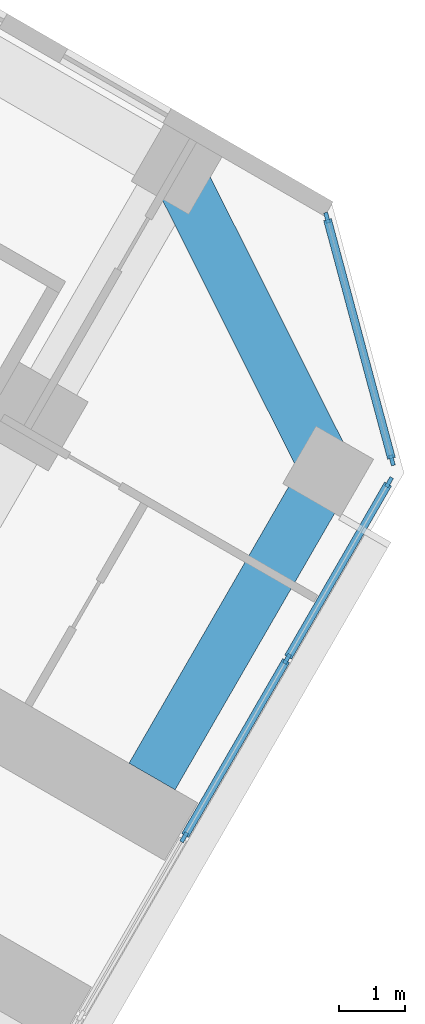
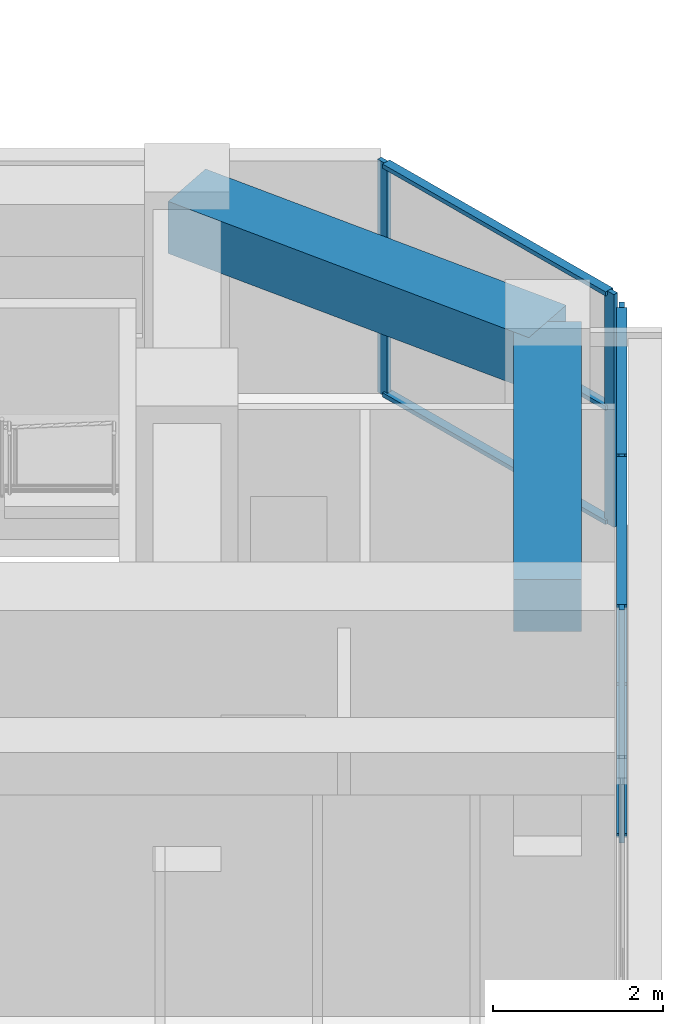
# One storey, part 8 of 21: 12 members, 2 beams, 2 elements without a shape of their own.
"""IFC4 building model written with IfcOpenShell, lengths in metres."""

from ifc_helpers import new_model, si_unit, direction, frame, origin, origin_2d, place, context, subcontext, project, spatial, rectangle, extrude, material, material_profile, profile_set, type_object, element, aggregate, save


model = new_model("IFC4")

# Units and contexts
model_context = context("Model", 3, precision=1e-05, world=origin(), true_north=direction((0.0, 1.0)))
body_context = subcontext(model_context, "Body", "Model", "MODEL_VIEW")
ifc_project = project(units=[si_unit("LENGTHUNIT", "METRE"), si_unit("AREAUNIT", "SQUARE_METRE"), si_unit("VOLUMEUNIT", "CUBIC_METRE"), si_unit("PLANEANGLEUNIT", "RADIAN"), si_unit("MASSUNIT", "GRAM", prefix="KILO")], contexts=[model_context])

# Site, building, storey
site_placement = place(None, origin())
site = spatial("IfcSite", under=ifc_project, at=site_placement, CompositionType="ELEMENT")
building_placement = place(site_placement, origin())
building = spatial("IfcBuilding", under=site, at=building_placement, Name="Kosmar Iwan School Tower", CompositionType="ELEMENT")
storey_placement = place(building_placement, frame((0.0, 0.0, 53.800048828125)))
storey = spatial("IfcBuildingStorey", under=building, at=storey_placement, Name="L12", CompositionType="ELEMENT", Elevation=53.800048828125)

# Curtain wall, members
ifc_material_1 = material(Name="Dark glass in black aluminium frame", Category="aluminium")
curtain_wall_type_1 = type_object("IfcCurtainWallType", Name="Tower curtain wall dark glass", PredefinedType="USERDEFINED", material=ifc_material_1)
curtain_wall_1_placement = place(storey_placement, origin())
curtain_wall_1 = element("IfcCurtainWall", 1, at=curtain_wall_1_placement, inside=storey, type_object=curtain_wall_type_1, Name="Curtain wall L12-F03", ObjectType="UNITISED CURTAIN WALL", PredefinedType="USERDEFINED")
ifc_material_2 = material(Name="Black anodised aluminium", Category="aluminium")
ifc_material_profile_1 = material_profile(ifc_material_2, rectangle(XDim=0.06005859375, YDim=0.159912109375, at=origin_2d()), Name="MULLION 60x160")
ifc_profile_set_1 = profile_set([ifc_material_profile_1], Name="Black anodised aluminium")
member_type_1 = type_object("IfcMemberType", Name="Mullion 60x160", PredefinedType="MULLION", material=ifc_profile_set_1)
member_1_placement = place(storey_placement, frame((30.631103515625, -15.8955078125, 0.0), z_axis=(0.0, 0.0, 1.0), x_axis=(-0.866025405329, 0.499999997325, 0.0)))
member_1 = element("IfcMember", 2, at=member_1_placement, type_object=member_type_1, Name="CW1 mullion 4", PredefinedType="MULLION", context=body_context, shape_type="SweptSolid", body=[
    extrude(rectangle(XDim=0.06005859375, YDim=0.159912109375, at=origin_2d()), origin(), (0.0, 0.0, 1.0), 3.349853515625),
])
member_2_placement = place(storey_placement, frame((32.1806640625, -13.21142578125, 0.0), z_axis=(0.0, 0.0, 1.0), x_axis=(-0.866025405329, 0.499999997325, 0.0)))
member_2 = element("IfcMember", 3, at=member_2_placement, type_object=member_type_1, Name="CW1 mullion 5", PredefinedType="MULLION", context=body_context, shape_type="SweptSolid", body=[
    extrude(rectangle(XDim=0.06005859375, YDim=0.159912109375, at=origin_2d()), origin(), (0.0, 0.0, 1.0), 3.349853515625),
])
member_3_placement = place(storey_placement, frame((33.71533203125, -10.55322265625, 0.0), z_axis=(0.0, 0.0, 1.0), x_axis=(-0.866025405329, 0.499999997325, 0.0)))
member_3 = element("IfcMember", 4, at=member_3_placement, type_object=member_type_1, Name="CW1 mullion 6", PredefinedType="MULLION", context=body_context, shape_type="SweptSolid", body=[
    extrude(rectangle(XDim=0.06005859375, YDim=0.159912109375, at=origin_2d()), origin(), (0.0, 0.0, 1.0), 3.349853515625),
])

ifc_material_3 = material(Name="Dark glass in black aluminium frame", Category="aluminium")
curtain_wall_type_2 = type_object("IfcCurtainWallType", Name="Chamfer curtain wall dark glass", PredefinedType="USERDEFINED", material=ifc_material_3)
curtain_wall_2_placement = place(storey_placement, origin())
curtain_wall_2 = element("IfcCurtainWall", 5, at=curtain_wall_2_placement, inside=storey, type_object=curtain_wall_type_2, Name="Curtain wall L12-F04", ObjectType="FACETED CURTAIN WALL", PredefinedType="USERDEFINED")
member_4_placement = place(storey_placement, frame((33.7587890625, -10.2236328125, 0.0), z_axis=(0.0, 0.0, 1.0), x_axis=(-0.965925875495, -0.258818861462, 0.0)))
member_4 = element("IfcMember", 6, at=member_4_placement, type_object=member_type_1, Name="CW2 mullion 1", PredefinedType="MULLION", context=body_context, shape_type="SweptSolid", body=[
    extrude(rectangle(XDim=0.06005859375, YDim=0.159912109375, at=origin_2d()), origin(), (0.0, 0.0, 1.0), 3.349853515625),
])
member_5_placement = place(storey_placement, frame((32.78076171875, -6.5732421875, 0.0), z_axis=(0.0, 0.0, 1.0), x_axis=(-0.965925875495, -0.258818861462, 0.0)))
member_5 = element("IfcMember", 7, at=member_5_placement, type_object=member_type_1, Name="CW2 mullion 2", PredefinedType="MULLION", context=body_context, shape_type="SweptSolid", body=[
    extrude(rectangle(XDim=0.06005859375, YDim=0.159912109375, at=origin_2d()), origin(), (0.0, 0.0, 1.0), 3.349853515625),
])

# Beams
ifc_material_4 = material(Name="Concrete C50/60", Category="concrete")
ifc_material_profile_2 = material_profile(ifc_material_4, rectangle(XDim=0.800048828125, YDim=0.75, at=origin_2d()), Name="RC 800x750")
ifc_profile_set_2 = profile_set([ifc_material_profile_2], Name="Concrete C50/60")
beam_type = type_object("IfcBeamType", Name="RC tip beam 800x750", PredefinedType="BEAM", material=ifc_profile_set_2)
beam_1_placement = place(storey_placement, frame((30.517822265625, -5.841552734375, 2.974853515625), z_axis=(0.44809604203, -0.893985423325, 0.0), x_axis=(0.893985423325, 0.44809604203, 0.0)))
element("IfcBeam", 8, at=beam_1_placement, inside=storey, type_object=beam_type, Name="Tip beam CL", PredefinedType="BEAM", context=body_context, shape_type="SweptSolid", body=[
    extrude(rectangle(XDim=0.800048828125, YDim=0.75, at=origin_2d()), origin(), (0.0, 0.0, 1.0), 5.08935546875),
])
beam_2_placement = place(storey_placement, frame((32.79833984375, -10.391357421875, 2.974853515625), z_axis=(-0.499973660256, -0.866040610509, 0.0), x_axis=(0.866040610509, -0.499973660256, 0.0)))
element("IfcBeam", 9, at=beam_2_placement, inside=storey, type_object=beam_type, Name="Tip beam CL to corridor wall", PredefinedType="BEAM", context=body_context, shape_type="SweptSolid", body=[
    extrude(rectangle(XDim=0.800048828125, YDim=0.75, at=origin_2d()), origin(), (0.0, 0.0, 1.0), 5.300048828125),
])

# Member
ifc_material_5 = material(Name="Black anodised aluminium", Category="aluminium")
ifc_material_profile_3 = material_profile(ifc_material_5, rectangle(XDim=0.1201171875, YDim=0.06005859375, at=origin_2d()), Name="TRANSOM 60x120")
ifc_profile_set_3 = profile_set([ifc_material_profile_3], Name="Black anodised aluminium")
member_type_2 = type_object("IfcMemberType", Name="Transom 60x120", PredefinedType="USERDEFINED", material=ifc_profile_set_3)
member_6_placement = place(storey_placement, frame((30.64599609375, -15.869384765625, 0.030029296875), z_axis=(0.500035348339, 0.866004994449, 0.0), x_axis=(-0.866004994449, 0.500035348339, 0.0)))
member_6 = element("IfcMember", 10, at=member_6_placement, type_object=member_type_2, Name="CW1 transom 4.1", ObjectType="TRANSOM", PredefinedType="USERDEFINED", context=body_context, shape_type="SweptSolid", body=[
    extrude(rectangle(XDim=0.1201171875, YDim=0.06005859375, at=origin_2d()), origin(), (0.0, 0.0, 1.0), 3.039306640625),
])

member_7_placement = place(storey_placement, frame((30.64599609375, -15.869384765625, 3.320068359375), z_axis=(0.500035348339, 0.866004994449, 0.0), x_axis=(-0.866004994449, 0.500035348339, 0.0)))
member_7 = element("IfcMember", 11, at=member_7_placement, type_object=member_type_2, Name="CW1 transom 4.2", ObjectType="TRANSOM", PredefinedType="USERDEFINED", context=body_context, shape_type="SweptSolid", body=[
    extrude(rectangle(XDim=0.1201171875, YDim=0.06005859375, at=origin_2d()), origin(), (0.0, 0.0, 1.0), 3.039306640625),
])

member_8_placement = place(storey_placement, frame((32.19580078125, -13.185302734375, 0.030029296875), z_axis=(0.500022102064, 0.866012642776, 0.0), x_axis=(-0.866012642776, 0.500022102064, 0.0)))
member_8 = element("IfcMember", 12, at=member_8_placement, type_object=member_type_2, Name="CW1 transom 5.1", ObjectType="TRANSOM", PredefinedType="USERDEFINED", context=body_context, shape_type="SweptSolid", body=[
    extrude(rectangle(XDim=0.1201171875, YDim=0.06005859375, at=origin_2d()), origin(), (0.0, 0.0, 1.0), 3.009033203125),
])

member_9_placement = place(storey_placement, frame((32.19580078125, -13.185302734375, 3.320068359375), z_axis=(0.500022102064, 0.866012642776, 0.0), x_axis=(-0.866012642776, 0.500022102064, 0.0)))
member_9 = element("IfcMember", 13, at=member_9_placement, type_object=member_type_2, Name="CW1 transom 5.2", ObjectType="TRANSOM", PredefinedType="USERDEFINED", context=body_context, shape_type="SweptSolid", body=[
    extrude(rectangle(XDim=0.1201171875, YDim=0.06005859375, at=origin_2d()), origin(), (0.0, 0.0, 1.0), 3.009033203125),
])

aggregate(curtain_wall_1, [member_1, member_2, member_3, member_6, member_7, member_8, member_9])

member_10_placement = place(storey_placement, frame((33.7509765625, -10.194580078125, 0.030029296875), z_axis=(-0.258843273983, 0.965919333854, 0.0), x_axis=(-0.965919333854, -0.258843273983, 0.0)))
member_10 = element("IfcMember", 14, at=member_10_placement, type_object=member_type_2, Name="CW2 transom 1.1", ObjectType="TRANSOM", PredefinedType="USERDEFINED", context=body_context, shape_type="SweptSolid", body=[
    extrude(rectangle(XDim=0.1201171875, YDim=0.06005859375, at=origin_2d()), origin(), (0.0, 0.0, 1.0), 3.718994140625),
])

member_11_placement = place(storey_placement, frame((33.7509765625, -10.194580078125, 1.675048828125), z_axis=(-0.258843273983, 0.965919333854, 0.0), x_axis=(-0.965919333854, -0.258843273983, 0.0)))
member_11 = element("IfcMember", 15, at=member_11_placement, type_object=member_type_2, Name="CW2 transom 1.2", ObjectType="TRANSOM", PredefinedType="USERDEFINED", context=body_context, shape_type="SweptSolid", body=[
    extrude(rectangle(XDim=0.1201171875, YDim=0.06005859375, at=origin_2d()), origin(), (0.0, 0.0, 1.0), 3.718994140625),
])

member_12_placement = place(storey_placement, frame((33.7509765625, -10.194580078125, 3.320068359375), z_axis=(-0.258843273983, 0.965919333854, 0.0), x_axis=(-0.965919333854, -0.258843273983, 0.0)))
member_12 = element("IfcMember", 16, at=member_12_placement, type_object=member_type_2, Name="CW2 transom 1.3", ObjectType="TRANSOM", PredefinedType="USERDEFINED", context=body_context, shape_type="SweptSolid", body=[
    extrude(rectangle(XDim=0.1201171875, YDim=0.06005859375, at=origin_2d()), origin(), (0.0, 0.0, 1.0), 3.718994140625),
])

aggregate(curtain_wall_2, [member_4, member_5, member_10, member_11, member_12])

save(model, "model.ifc")
